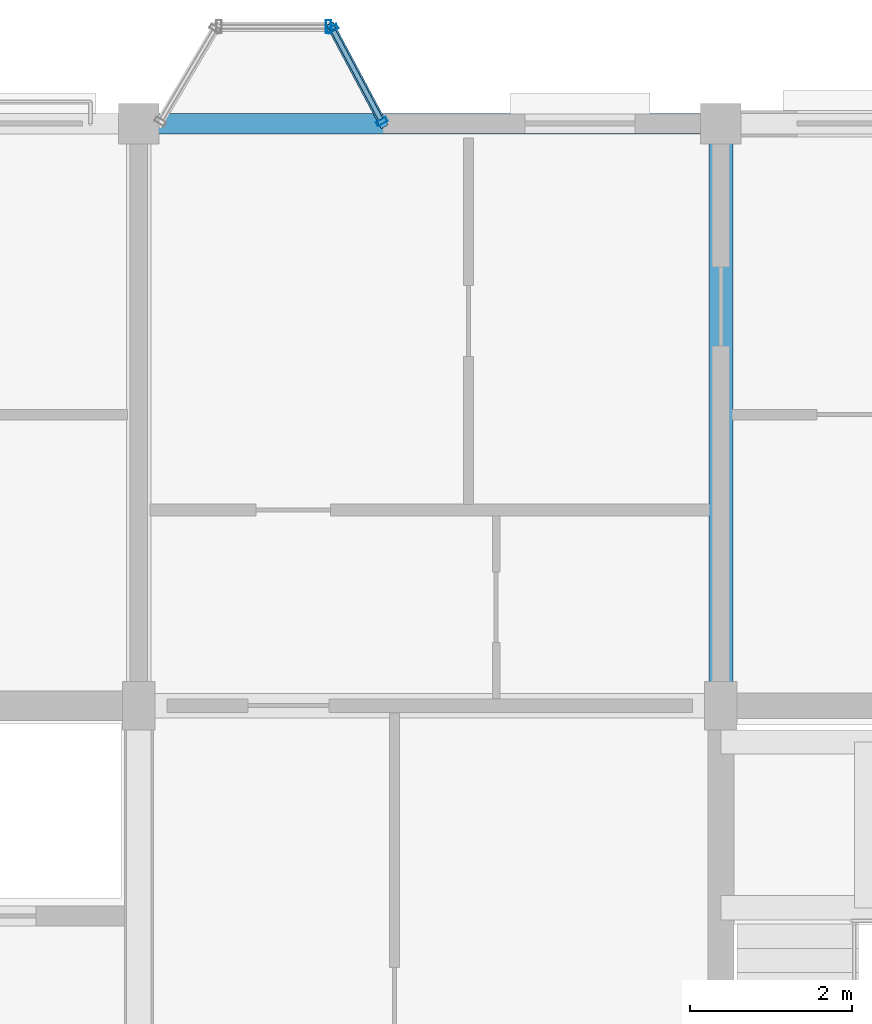
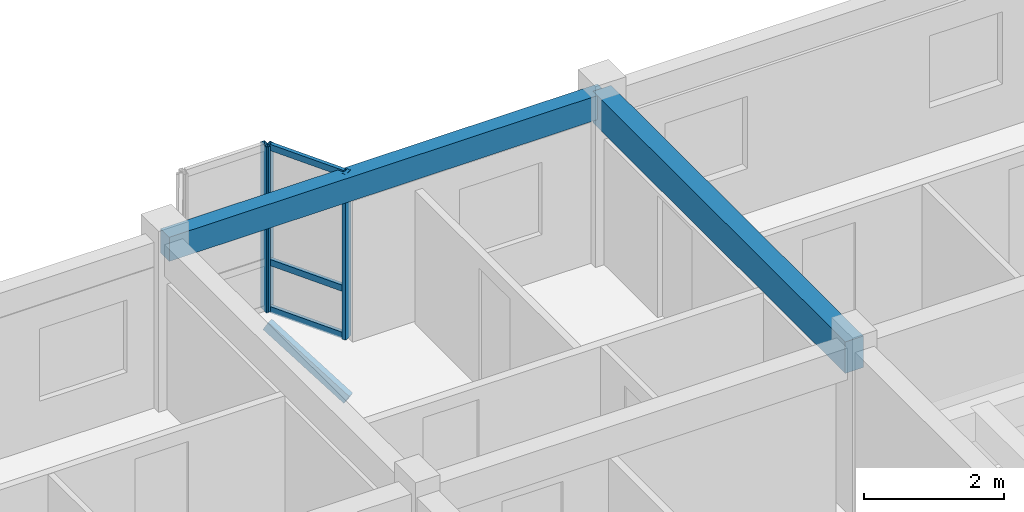
# One storey, part 11 of 38: 7 members, 2 beams, 2 elements without a shape of their own.
"""IFC4 building model written with IfcOpenShell, lengths in metres."""

from ifc_helpers import new_model, si_unit, direction, frame, origin, origin_2d, place, context, subcontext, project, spatial, rectangle, hollow_rectangle, extrude, material, layer, layer_set, material_profile, profile_set, type_object, element, aggregate, save


model = new_model("IFC4")

# Units and contexts
model_context = context("Model", 3, precision=1e-05, world=origin(), true_north=direction((0.0, 1.0)))
body_context = subcontext(model_context, "Body", "Model", "MODEL_VIEW")
ifc_project = project(units=[si_unit("LENGTHUNIT", "METRE"), si_unit("AREAUNIT", "SQUARE_METRE"), si_unit("VOLUMEUNIT", "CUBIC_METRE"), si_unit("PLANEANGLEUNIT", "RADIAN"), si_unit("MASSUNIT", "GRAM", prefix="KILO"), si_unit("THERMODYNAMICTEMPERATUREUNIT", "KELVIN"), si_unit("POWERUNIT", "WATT")], contexts=[model_context])

# Site, building, storey
site_placement = place(None, origin())
site = spatial("IfcSite", under=ifc_project, at=site_placement, CompositionType="ELEMENT")
building_placement = place(site_placement, origin())
building = spatial("IfcBuilding", under=site, at=building_placement, Name="Tavuni Mirador Residences", CompositionType="ELEMENT")
storey_placement = place(building_placement, frame((0.0, 0.0, 32.85009765625)))
storey = spatial("IfcBuildingStorey", under=building, at=storey_placement, Name="L10", CompositionType="ELEMENT", Elevation=32.85009765625)

# Beams
ifc_material_1 = material(Name="Precast concrete C40/50", Category="concrete")
ifc_material_profile_1 = material_profile(ifc_material_1, rectangle(XDim=0.300048828125, YDim=0.550048828125, at=origin_2d()), Name="PC 300x550", Category="concrete")
ifc_profile_set_1 = profile_set([ifc_material_profile_1], Name="Precast concrete C40/50")
beam_type_1 = type_object("IfcBeamType", Name="BT-B550", PredefinedType="BEAM", material=ifc_profile_set_1)
beam_1_placement = place(storey_placement, frame((39.60009765625, 165.60009765625, 2.60986328125), z_axis=(0.0, 1.0, 0.0), x_axis=(-1.0, 0.0, 0.0)))
element("IfcBeam", 1, at=beam_1_placement, inside=storey, type_object=beam_type_1, Name="BMY-BLK-C-L10-04-03", PredefinedType="BEAM", context=body_context, shape_type="SweptSolid", body=[
    extrude(rectangle(XDim=0.300048828125, YDim=0.550048828125, at=origin_2d()), origin(), (0.0, 0.0, 1.0), 7.199951171875),
])
ifc_material_profile_2 = material_profile(ifc_material_1, rectangle(XDim=0.25, YDim=0.419921875, at=origin_2d()), Name="PC 250x420", Category="concrete")
ifc_profile_set_2 = profile_set([ifc_material_profile_2], Name="Precast concrete C40/50")
beam_type_2 = type_object("IfcBeamType", Name="BT-SP420", PredefinedType="SPANDREL", material=ifc_profile_set_2)
beam_2_placement = place(storey_placement, frame((32.39990234375, 172.800048828125, 2.6748046875), z_axis=(1.0, 0.0, 0.0), x_axis=(0.0, 1.0, 0.0)))
element("IfcBeam", 2, at=beam_2_placement, inside=storey, type_object=beam_type_2, Name="BMX-BLK-C-L10-03-04", PredefinedType="SPANDREL", context=body_context, shape_type="SweptSolid", body=[
    extrude(rectangle(XDim=0.25, YDim=0.419921875, at=origin_2d()), origin(), (0.0, 0.0, 1.0), 7.2001953125),
])

# Curtain wall, members
ifc_material_2 = material(Name="Anodised aluminium", Category="aluminium")
ifc_layer_1 = layer(ifc_material_2, 0.1650390625, Name="Anodised aluminium", Category="aluminium")
ifc_layer_set_1 = layer_set([ifc_layer_1], Name="Anodised aluminium")
curtain_wall_type_1 = type_object("IfcCurtainWallType", Name="CWT-MIR-A", PredefinedType="NOTDEFINED", material=ifc_layer_set_1)
curtain_wall_1_placement = place(storey_placement, origin())
curtain_wall_1 = element("IfcCurtainWall", 3, at=curtain_wall_1_placement, inside=storey, type_object=curtain_wall_type_1, Name="CW-MIR-C-N2-L10-M1", PredefinedType="NOTDEFINED")
ifc_material_profile_3 = material_profile(ifc_material_2, hollow_rectangle(XDim=0.06005859375, YDim=0.139892578125, WallThickness=0.00390625, at=origin_2d()), Name="ALU 60x140x4.0", Category="aluminium")
ifc_profile_set_3 = profile_set([ifc_material_profile_3], Name="Anodised aluminium")
member_type_1 = type_object("IfcMemberType", Name="CWM-140", PredefinedType="MULLION", material=ifc_profile_set_3)
member_1_placement = place(storey_placement, frame((35.40576171875, 172.826416015625, 0.0), z_axis=(0.0, 0.0, 1.0), x_axis=(-0.470588235296, 0.882352941175, 0.0)))
member_1 = element("IfcMember", 4, at=member_1_placement, type_object=member_type_1, Name="CW-01 mullion 1", PredefinedType="MULLION", context=body_context, shape_type="SweptSolid", body=[
    extrude(hollow_rectangle(XDim=0.06005859375, YDim=0.139892578125, WallThickness=0.00390625, at=origin_2d()), origin(), (0.0, 0.0, 1.0), 2.885009765625),
])
member_2_placement = place(storey_placement, frame((34.794189453125, 173.9736328125, 0.0), z_axis=(0.0, 0.0, 1.0), x_axis=(-0.470588235296, 0.882352941175, 0.0)))
member_2 = element("IfcMember", 5, at=member_2_placement, type_object=member_type_1, Name="CW-01 mullion 2", PredefinedType="MULLION", context=body_context, shape_type="SweptSolid", body=[
    extrude(hollow_rectangle(XDim=0.06005859375, YDim=0.139892578125, WallThickness=0.00390625, at=origin_2d()), origin(), (0.0, 0.0, 1.0), 2.885009765625),
])

# Curtain wall, member
ifc_layer_2 = layer(ifc_material_2, 0.14990234375, Name="Anodised aluminium", Category="aluminium")
ifc_layer_set_2 = layer_set([ifc_layer_2], Name="Anodised aluminium")
curtain_wall_type_2 = type_object("IfcCurtainWallType", Name="CWT-MIR-B", PredefinedType="NOTDEFINED", material=ifc_layer_set_2)
curtain_wall_2_placement = place(storey_placement, origin())
curtain_wall_2 = element("IfcCurtainWall", 6, at=curtain_wall_2_placement, inside=storey, type_object=curtain_wall_type_2, Name="CW-MIR-C-N2-L10-MF", PredefinedType="NOTDEFINED")
ifc_material_profile_4 = material_profile(ifc_material_2, hollow_rectangle(XDim=0.06494140625, YDim=0.1650390625, WallThickness=0.00439453125, at=origin_2d()), Name="ALU 65x165x4.5", Category="aluminium")
ifc_profile_set_4 = profile_set([ifc_material_profile_4], Name="Anodised aluminium")
member_type_2 = type_object("IfcMemberType", Name="CWM-165", PredefinedType="MULLION", material=ifc_profile_set_4)
member_3_placement = place(storey_placement, frame((34.74755859375, 174.0, 0.0), z_axis=(0.0, 0.0, 1.0), x_axis=(-1.0, 0.0, 0.0)))
member_3 = element("IfcMember", 7, at=member_3_placement, type_object=member_type_2, Name="CW-02 mullion 1", PredefinedType="MULLION", context=body_context, shape_type="SweptSolid", body=[
    extrude(hollow_rectangle(XDim=0.06494140625, YDim=0.1650390625, WallThickness=0.00439453125, at=origin_2d()), origin(), (0.0, 0.0, 1.0), 2.885009765625),
])
aggregate(curtain_wall_2, [member_3])

# Member
ifc_material_profile_5 = material_profile(ifc_material_2, hollow_rectangle(XDim=0.06005859375, YDim=0.110107421875, WallThickness=0.00390625, at=origin_2d()), Name="ALU 60x110x4.0", Category="aluminium")
ifc_profile_set_5 = profile_set([ifc_material_profile_5], Name="Anodised aluminium")
member_type_3 = type_object("IfcMemberType", Name="CWT-110", PredefinedType="USERDEFINED", material=ifc_profile_set_5)
member_4_placement = place(storey_placement, frame((35.391845703125, 172.85302734375, 0.02978515625), z_axis=(-0.470608675382, 0.882342039492, 0.0), x_axis=(-0.882342039492, -0.470608675382, 0.0)))
member_4 = element("IfcMember", 8, at=member_4_placement, type_object=member_type_3, Name="CW-01 transom 1.1", ObjectType="TRANSOM", PredefinedType="USERDEFINED", context=body_context, shape_type="SweptSolid", body=[
    extrude(hollow_rectangle(XDim=0.06005859375, YDim=0.110107421875, WallThickness=0.00390625, at=origin_2d()), origin(), (0.0, 0.0, 1.0), 1.239990234375),
])

member_5_placement = place(storey_placement, frame((35.391845703125, 172.85302734375, 0.849853515625), z_axis=(-0.470608675382, 0.882342039492, 0.0), x_axis=(-0.882342039492, -0.470608675382, 0.0)))
member_5 = element("IfcMember", 9, at=member_5_placement, type_object=member_type_3, Name="CW-01 transom 1.2", ObjectType="TRANSOM", PredefinedType="USERDEFINED", context=body_context, shape_type="SweptSolid", body=[
    extrude(hollow_rectangle(XDim=0.06005859375, YDim=0.110107421875, WallThickness=0.00390625, at=origin_2d()), origin(), (0.0, 0.0, 1.0), 1.239990234375),
])

member_6_placement = place(storey_placement, frame((35.391845703125, 172.85302734375, 2.85498046875), z_axis=(-0.470608675382, 0.882342039492, 0.0), x_axis=(-0.882342039492, -0.470608675382, 0.0)))
member_6 = element("IfcMember", 10, at=member_6_placement, type_object=member_type_3, Name="CW-01 transom 1.3", ObjectType="TRANSOM", PredefinedType="USERDEFINED", context=body_context, shape_type="SweptSolid", body=[
    extrude(hollow_rectangle(XDim=0.06005859375, YDim=0.110107421875, WallThickness=0.00390625, at=origin_2d()), origin(), (0.0, 0.0, 1.0), 1.239990234375),
])

aggregate(curtain_wall_1, [member_1, member_2, member_4, member_5, member_6])

ifc_material_3 = material(Name="Structural steel S355", Category="steel")
ifc_material_profile_6 = material_profile(ifc_material_3, hollow_rectangle(XDim=0.10009765625, YDim=0.179931640625, WallThickness=0.008056640625, at=origin_2d()), Name="RHS 180x100x8.0", Category="steel")
ifc_profile_set_6 = profile_set([ifc_material_profile_6], Name="Structural steel S355")
member_type_4 = type_object("IfcMemberType", Name="MT-BR-RHS180", PredefinedType="BRACE", material=ifc_profile_set_6)
member_7_placement = place(storey_placement, frame((35.419921875, 172.800048828125, -1.050048828125), z_axis=(-0.407530885562, 0.764217589674, 0.499890040855), x_axis=(-0.882377788047, -0.47054164445, 0.0)))
element("IfcMember", 11, at=member_7_placement, inside=storey, type_object=member_type_4, Name="MBRK-MIR-C-N2-L10-2", PredefinedType="BRACE", context=body_context, shape_type="SweptSolid", body=[
    extrude(hollow_rectangle(XDim=0.10009765625, YDim=0.179931640625, WallThickness=0.008056640625, at=origin_2d()), origin(), (0.0, 0.0, 1.0), 1.570068359375),
])

save(model, "model.ifc")
